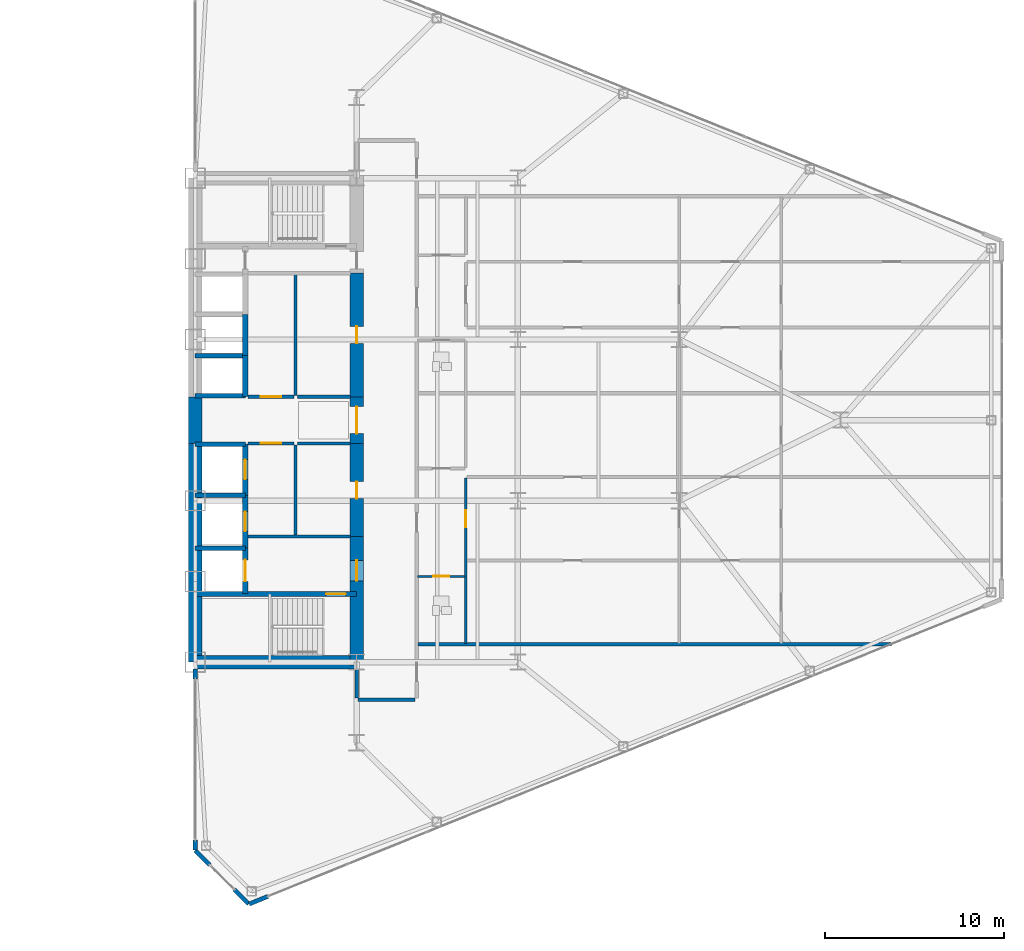
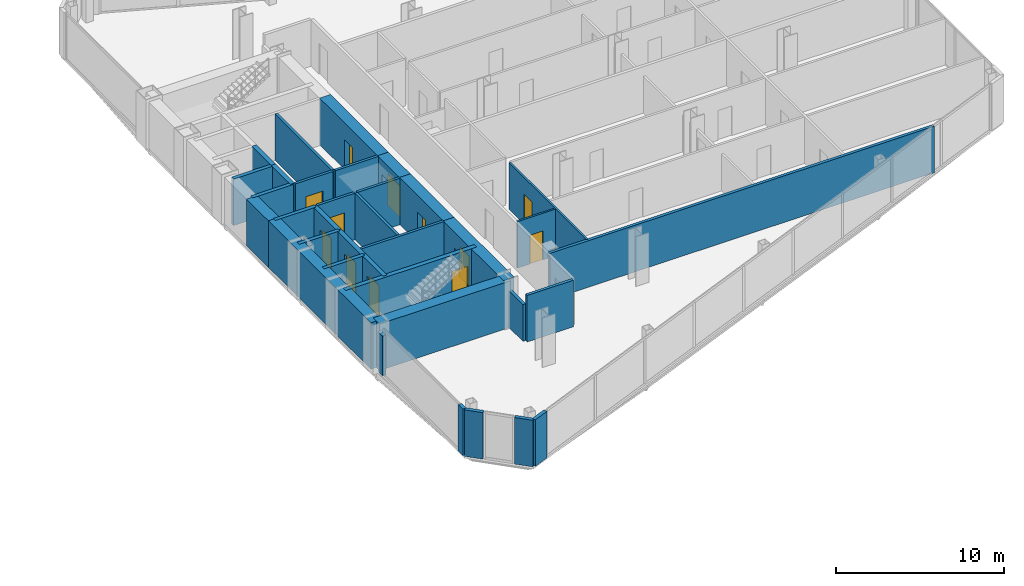
# One storey, part 20 of 25: 35 walls, 12 doors, 12 openings.
"""IFC4 building model written with IfcOpenShell, lengths in metres."""

from ifc_helpers import new_model, si_unit, direction, frame, frame_2d, origin, place, context, subcontext, project, spatial, rectangle, extrude, source, transform, mapped, material, layer, layer_set, type_object, type_shapes, element, fill, save


model = new_model("IFC4")

# Units and contexts
model_context = context("Model", 3, precision=1e-05, world=origin(), true_north=direction((0.0, 1.0)))
body_context = subcontext(model_context, "Body", "Model", "MODEL_VIEW")
ifc_project = project(units=[si_unit("LENGTHUNIT", "METRE"), si_unit("AREAUNIT", "SQUARE_METRE"), si_unit("VOLUMEUNIT", "CUBIC_METRE"), si_unit("PLANEANGLEUNIT", "RADIAN"), si_unit("MASSUNIT", "GRAM", prefix="KILO")], contexts=[model_context])

# Site, building, storey
site_placement = place(None, origin())
site = spatial("IfcSite", under=ifc_project, at=site_placement, CompositionType="ELEMENT")
building_placement = place(site_placement, origin())
building = spatial("IfcBuilding", under=site, at=building_placement, Name="Seokmaru Belvedere", CompositionType="ELEMENT")
storey_placement = place(building_placement, frame((0.0, 0.0, 44.10009765625)))
storey = spatial("IfcBuildingStorey", under=building, at=storey_placement, Name="L11", CompositionType="ELEMENT", Elevation=44.10009765625)

# Walls
ifc_material_1 = material(Name="Fire-Rated Gypsum Shaftwall")
ifc_layer_1 = layer(ifc_material_1, 0.179931640625)
ifc_layer_set_1 = layer_set([ifc_layer_1], Name="Fire-Rated Gypsum Shaftwall")
wall_type_1 = type_object("IfcWallType", Name="Core Service Fire Partition 180", PredefinedType="PARTITIONING", material=ifc_layer_set_1)
wall_1_placement = place(storey_placement, frame((30.449951171875, -6.5, 0.0), z_axis=(0.0, 0.0, 1.0), x_axis=(1.0, 0.0, 0.0)))
element("IfcWall", 1, at=wall_1_placement, inside=storey, type_object=wall_type_1, Name="L11 East Firefighting Lobby Partition", PredefinedType="PARTITIONING", context=body_context, shape_type="SweptSolid", body=[
    extrude(rectangle(XDim=5.699951171875, YDim=0.179931640625, at=frame_2d((2.85009765625, 0.0))), origin(), (0.0, 0.0, 1.0), 3.3798828125),
])
wall_2_placement = place(storey_placement, frame((33.10009765625, -6.419921875, 0.0), z_axis=(0.0, 0.0, 1.0), x_axis=(0.0, 1.0, 0.0)))
element("IfcWall", 2, at=wall_2_placement, inside=storey, type_object=wall_type_1, Name="L11 East South Core Service Back Wall", PredefinedType="PARTITIONING", context=body_context, shape_type="SweptSolid", body=[
    extrude(rectangle(XDim=5.0400390625, YDim=0.179931640625, at=frame_2d((2.52001953125, 0.0))), origin(), (0.0, 0.0, 1.0), 3.3798828125),
])
wall_3_placement = place(storey_placement, frame((33.10009765625, 1.3798828125, 0.0), z_axis=(0.0, 0.0, 1.0), x_axis=(0.0, 1.0, 0.0)))
element("IfcWall", 3, at=wall_3_placement, inside=storey, type_object=wall_type_1, Name="L11 East North Core Service Back Wall", PredefinedType="PARTITIONING", context=body_context, shape_type="SweptSolid", body=[
    extrude(rectangle(XDim=6.740234375, YDim=0.179931640625, at=frame_2d((3.3701171875, 0.0))), origin(), (0.0, 0.0, 1.0), 3.3798828125),
])

# Wall, opening, door
wall_4_placement = place(storey_placement, frame((30.449951171875, -1.300048828125, 0.0), z_axis=(0.0, 0.0, 1.0), x_axis=(1.0, 0.0, 0.0)))
wall_4 = element("IfcWall", 4, at=wall_4_placement, inside=storey, type_object=wall_type_1, Name="L11 East South Lift Lobby Foyer Wall", PredefinedType="PARTITIONING", context=body_context, shape_type="SweptSolid", body=[
    extrude(rectangle(XDim=2.570068359375, YDim=0.179931640625, at=frame_2d((1.28515625, 0.0))), origin(), (0.0, 0.0, 1.0), 3.3798828125),
])
opening_1_placement = place(wall_4_placement, frame((0.7099609375, 0.0, 0.0)))
opening_1 = element("IfcOpeningElement", 5, at=opening_1_placement, cuts=wall_4, Name="Opening D02", PredefinedType="OPENING", context=body_context, shape_type="SweptSolid", body=[
    extrude(rectangle(XDim=1.14990234375, YDim=2.199951171875, at=frame_2d((0.574951171875, 1.10009765625))), frame((0.0, 0.10009765625, 0.0), z_axis=(0.0, -1.0, 0.0), x_axis=(1.0, 0.0, 0.0)), (0.0, 0.0, 1.0), 0.199951171875),
])
ifc_material_2 = material(Name="Fire-Rated Steel Leaf", Category="steel")
door_type_1 = type_object("IfcDoorType", Name="Lobby and Vestibule Fire Door 1150x2200", OperationType="NOTDEFINED", PredefinedType="DOOR", material=ifc_material_2)
shared_shape_1 = source(origin(), body_context, "Body", "SweptSolid", [
    extrude(rectangle(XDim=1.14990234375, YDim=2.199951171875, at=frame_2d((0.574951171875, 1.10009765625))), frame((0.0, 0.02490234375, 0.0), z_axis=(0.0, -1.0, 0.0), x_axis=(1.0, 0.0, 0.0)), (0.0, 0.0, 1.0), 0.050048828125),
])
type_shapes(door_type_1, [shared_shape_1])
door_1_placement = place(opening_1_placement, origin())
door_1 = element("IfcDoor", 6, at=door_1_placement, inside=storey, type_object=door_type_1, Name="L11 East South Core Foyer Door", OperationType="SINGLE_SWING_RIGHT", OverallHeight=2.199951171875, OverallWidth=1.14990234375, PredefinedType="DOOR", context=body_context, shape_type="MappedRepresentation", body=[
    mapped(shared_shape_1, transform((0.0, 0.0, 0.0), scale=1.0)),
])
fill(opening_1, door_1)

wall_5_placement = place(storey_placement, frame((30.449951171875, 1.300048828125, 0.0), z_axis=(0.0, 0.0, 1.0), x_axis=(1.0, 0.0, 0.0)))
wall_5 = element("IfcWall", 7, at=wall_5_placement, inside=storey, type_object=wall_type_1, Name="L11 East North Lift Lobby Foyer Wall", PredefinedType="PARTITIONING", context=body_context, shape_type="SweptSolid", body=[
    extrude(rectangle(XDim=2.570068359375, YDim=0.179931640625, at=frame_2d((1.28515625, 0.0))), origin(), (0.0, 0.0, 1.0), 3.3798828125),
])
opening_2_placement = place(wall_5_placement, frame((0.7099609375, 0.0, 0.0)))
opening_2 = element("IfcOpeningElement", 8, at=opening_2_placement, cuts=wall_5, Name="Opening D02", PredefinedType="OPENING", context=body_context, shape_type="SweptSolid", body=[
    extrude(rectangle(XDim=1.14990234375, YDim=2.199951171875, at=frame_2d((0.574951171875, 1.10009765625))), frame((0.0, 0.10009765625, 0.0), z_axis=(0.0, -1.0, 0.0), x_axis=(1.0, 0.0, 0.0)), (0.0, 0.0, 1.0), 0.199951171875),
])
door_2_placement = place(opening_2_placement, origin())
door_2 = element("IfcDoor", 9, at=door_2_placement, inside=storey, type_object=door_type_1, Name="L11 East North Lift Lobby Door", OperationType="SINGLE_SWING_LEFT", OverallHeight=2.199951171875, OverallWidth=1.14990234375, PredefinedType="DOOR", context=body_context, shape_type="MappedRepresentation", body=[
    mapped(shared_shape_1, transform((0.0, 0.0, 0.0), scale=1.0)),
])
fill(opening_2, door_2)

# Walls
for number, where, z_axis, x_axis, name in (
    (10, (33.199951171875, -1.300048828125, 0.0), (0.0, 0.0, 1.0), (1.0, 0.0, 0.0), "L11 East Foyer Side Wall S"),
    (11, (33.199951171875, 1.300048828125, 0.0), (0.0, 0.0, 1.0), (1.0, 0.0, 0.0), "L11 East Foyer Side Wall N"),
):
    element("IfcWall", number, at=place(storey_placement, frame(where, z_axis=z_axis, x_axis=x_axis)), inside=storey, type_object=wall_type_1, Name=name, PredefinedType="PARTITIONING", context=body_context, shape_type="SweptSolid", body=[
        extrude(rectangle(XDim=2.949951171875, YDim=0.179931640625, at=frame_2d((1.47509765625, 0.0))), origin(), (0.0, 0.0, 1.0), 3.3798828125),
    ])
ifc_material_3 = material(Name="Concrete C50 (50 MPa)", Category="concrete")
ifc_layer_2 = layer(ifc_material_3, 0.25)
ifc_layer_set_2 = layer_set([ifc_layer_2], Name="Concrete C50 (50 MPa)")
wall_type_2 = type_object("IfcWallType", Name="Hoistway Transverse Concrete Divider Wall 250", PredefinedType="SHEAR", material=ifc_layer_set_2)
for number, where, z_axis, x_axis, name in (
    (12, (27.5, -7.14990234375, 0.0), (0.0, 0.0, 1.0), (1.0, 0.0, 0.0), "L11 East Hoistway Divider Core Wall 1"),
    (13, (27.5, -4.199951171875, 0.0), (0.0, 0.0, 1.0), (1.0, 0.0, 0.0), "L11 East Hoistway Divider Core Wall 2"),
    (14, (27.5, -1.35009765625, 0.0), (0.0, 0.0, 1.0), (1.0, 0.0, 0.0), "L11 East Hoistway Divider Core Wall 3"),
    (15, (27.5, 1.35009765625, 0.0), (0.0, 0.0, 1.0), (1.0, 0.0, 0.0), "L11 East Hoistway Divider Core Wall 4"),
    (16, (27.5, 3.60009765625, 0.0), (0.0, 0.0, 1.0), (1.0, 0.0, 0.0), "L11 East Hoistway Divider Core Wall 5"),
):
    element("IfcWall", number, at=place(storey_placement, frame(where, z_axis=z_axis, x_axis=x_axis)), inside=storey, type_object=wall_type_2, Name=name, PredefinedType="SHEAR", context=body_context, shape_type="SweptSolid", body=[
        extrude(rectangle(XDim=2.800048828125, YDim=0.25, at=frame_2d((1.39990234375, 0.0))), origin(), (0.0, 0.0, 1.0), 3.3798828125),
    ])
ifc_layer_3 = layer(ifc_material_1, 0.199951171875)
ifc_layer_set_3 = layer_set([ifc_layer_3], Name="Fire-Rated Gypsum Shaftwall")
wall_type_3 = type_object("IfcWallType", Name="Inter-Tenancy Fire Compartment Partition 200", PredefinedType="PARTITIONING", material=ifc_layer_set_3)
wall_6_placement = place(storey_placement, frame((36.5849609375, -15.60009765625, 0.0), z_axis=(0.0, 0.0, 1.0), x_axis=(1.0, 0.0, 0.0)))
element("IfcWall", 17, at=wall_6_placement, inside=storey, type_object=wall_type_3, Name="L11 Interior Partition 005", PredefinedType="PARTITIONING", context=body_context, shape_type="SweptSolid", body=[
    extrude(rectangle(XDim=3.179931640625, YDim=0.199951171875, at=frame_2d((1.58984375, 0.0))), origin(), (0.0, 0.0, 1.0), 3.3798828125),
])
wall_7_placement = place(storey_placement, frame((39.929931640625, -12.5, 0.0), z_axis=(0.0, 0.0, 1.0), x_axis=(1.0, 0.0, 0.0)))
element("IfcWall", 18, at=wall_7_placement, inside=storey, type_object=wall_type_3, Name="L11 Interior Partition 008", PredefinedType="PARTITIONING", context=body_context, shape_type="SweptSolid", body=[
    extrude(rectangle(XDim=26.406982421875, YDim=0.199951171875, at=frame_2d((13.20361328125, 0.0))), origin(), (0.0, 0.0, 1.0), 3.3798828125),
])
wall_8_placement = place(storey_placement, frame((36.5, -15.514892578125, 0.0), z_axis=(0.0, 0.0, 1.0), x_axis=(0.0, 1.0, 0.0)))
element("IfcWall", 19, at=wall_8_placement, inside=storey, type_object=wall_type_3, Name="L11 Interior Partition 043", PredefinedType="PARTITIONING", context=body_context, shape_type="SweptSolid", body=[
    extrude(rectangle(XDim=1.635009765625, YDim=0.199951171875, at=frame_2d((0.8173828125, 0.0))), origin(), (0.0, 0.0, 1.0), 2.679931640625),
])

# Wall, opening, door
ifc_layer_4 = layer(ifc_material_3, 0.300048828125)
ifc_layer_set_4 = layer_set([ifc_layer_4], Name="Concrete C50 (50 MPa)")
wall_type_4 = type_object("IfcWallType", Name="Internal Core Stair and Hoistway Wall 300", PredefinedType="SHEAR", material=ifc_layer_set_4)
wall_9_placement = place(storey_placement, frame((27.5, -9.699951171875, 0.0), z_axis=(0.0, 0.0, 1.0), x_axis=(1.0, 0.0, 0.0)))
wall_9 = element("IfcWall", 20, at=wall_9_placement, inside=storey, type_object=wall_type_4, Name="L11 East Stair ST-1 Enclosure Wall", PredefinedType="SHEAR", context=body_context, shape_type="SweptSolid", body=[
    extrude(rectangle(XDim=9.0, YDim=0.300048828125, at=frame_2d((4.5, 0.0))), origin(), (0.0, 0.0, 1.0), 3.3798828125),
])
opening_3_placement = place(wall_9_placement, frame((7.300048828125, 0.0, 0.0)))
opening_3 = element("IfcOpeningElement", 21, at=opening_3_placement, cuts=wall_9, Name="Opening D01", PredefinedType="OPENING", context=body_context, shape_type="SweptSolid", body=[
    extrude(rectangle(XDim=1.10009765625, YDim=2.199951171875, at=frame_2d((0.550048828125, 1.10009765625))), frame((0.0, 0.16015625, 0.0), z_axis=(0.0, -1.0, 0.0), x_axis=(1.0, 0.0, 0.0)), (0.0, 0.0, 1.0), 0.320068359375),
])
door_type_2 = type_object("IfcDoorType", Name="Special Escape Stair Smokeproof Fire Door 1100x2200", OperationType="NOTDEFINED", PredefinedType="DOOR", material=ifc_material_2)
shared_shape_2 = source(origin(), body_context, "Body", "SweptSolid", [
    extrude(rectangle(XDim=1.10009765625, YDim=2.199951171875, at=frame_2d((0.550048828125, 1.10009765625))), frame((0.0, 0.02490234375, 0.0), z_axis=(0.0, -1.0, 0.0), x_axis=(1.0, 0.0, 0.0)), (0.0, 0.0, 1.0), 0.050048828125),
])
type_shapes(door_type_2, [shared_shape_2])
door_3_placement = place(opening_3_placement, frame((1.10009765625, 0.0, 0.0), z_axis=(0.0, 0.0, 1.0), x_axis=(-1.0, 0.0, 0.0)))
door_3 = element("IfcDoor", 22, at=door_3_placement, inside=storey, type_object=door_type_2, Name="L11 East Special Escape Stair ST-1 Door", OperationType="SINGLE_SWING_RIGHT", OverallHeight=2.199951171875, OverallWidth=1.10009765625, PredefinedType="DOOR", context=body_context, shape_type="MappedRepresentation", body=[
    mapped(shared_shape_2, transform((0.0, 0.0, 0.0), scale=1.0)),
])
fill(opening_3, door_3)

wall_10_placement = place(storey_placement, frame((30.300048828125, -9.679931640625, 0.0), z_axis=(0.0, 0.0, 1.0), x_axis=(0.0, 1.0, 0.0)))
wall_10 = element("IfcWall", 23, at=wall_10_placement, inside=storey, type_object=wall_type_4, Name="L11 East Firefighting Lift Shaft Front Wall", PredefinedType="SHEAR", context=body_context, shape_type="SweptSolid", body=[
    extrude(rectangle(XDim=2.559814453125, YDim=0.300048828125, at=frame_2d((1.27978515625, 0.0))), origin(), (0.0, 0.0, 1.0), 3.3798828125),
])
opening_4_placement = place(wall_10_placement, frame((0.679931640625, 0.0, 0.0)))
opening_4 = element("IfcOpeningElement", 24, at=opening_4_placement, cuts=wall_10, Name="Opening LD2", PredefinedType="OPENING", context=body_context, shape_type="SweptSolid", body=[
    extrude(rectangle(XDim=1.199951171875, YDim=2.25, at=frame_2d((0.60009765625, 1.125))), frame((0.0, 0.16015625, 0.0), z_axis=(0.0, -1.0, 0.0), x_axis=(1.0, 0.0, 0.0)), (0.0, 0.0, 1.0), 0.320068359375),
])
ifc_material_4 = material(Name="Stainless Steel 316", Category="steel")
door_type_3 = type_object("IfcDoorType", Name="Firefighting Lift Sliding Landing Door 1200x2250", OperationType="DOUBLE_DOOR_SLIDING", PredefinedType="DOOR", material=ifc_material_4)
shared_shape_3 = source(origin(), body_context, "Body", "SweptSolid", [
    extrude(rectangle(XDim=1.199951171875, YDim=2.25, at=frame_2d((0.60009765625, 1.125))), frame((0.0, 0.02490234375, 0.0), z_axis=(0.0, -1.0, 0.0), x_axis=(1.0, 0.0, 0.0)), (0.0, 0.0, 1.0), 0.050048828125),
])
type_shapes(door_type_3, [shared_shape_3])
door_4_placement = place(opening_4_placement, origin())
door_4 = element("IfcDoor", 25, at=door_4_placement, inside=storey, type_object=door_type_3, Name="L11 East Firefighting Lift Landing Door", OperationType="DOUBLE_DOOR_SLIDING", OverallHeight=2.25, OverallWidth=1.199951171875, PredefinedType="DOOR", context=body_context, shape_type="MappedRepresentation", body=[
    mapped(shared_shape_3, transform((0.0, 0.0, 0.0), scale=1.0)),
])
fill(opening_4, door_4)

wall_11_placement = place(storey_placement, frame((30.300048828125, -7.1201171875, 0.0), z_axis=(0.0, 0.0, 1.0), x_axis=(0.0, 1.0, 0.0)))
wall_11 = element("IfcWall", 26, at=wall_11_placement, inside=storey, type_object=wall_type_4, Name="L11 East Low-Rise Lift PL-1 Front Wall", PredefinedType="SHEAR", context=body_context, shape_type="SweptSolid", body=[
    extrude(rectangle(XDim=2.920166015625, YDim=0.300048828125, at=frame_2d((1.4599609375, 0.0))), origin(), (0.0, 0.0, 1.0), 3.3798828125),
])
opening_5_placement = place(wall_11_placement, frame((0.909912109375, 0.0, 0.0)))
opening_5 = element("IfcOpeningElement", 27, at=opening_5_placement, cuts=wall_11, Name="Opening LD1", PredefinedType="OPENING", context=body_context, shape_type="SweptSolid", body=[
    extrude(rectangle(XDim=1.10009765625, YDim=2.199951171875, at=frame_2d((0.550048828125, 1.10009765625))), frame((0.0, 0.16015625, 0.0), z_axis=(0.0, -1.0, 0.0), x_axis=(1.0, 0.0, 0.0)), (0.0, 0.0, 1.0), 0.320068359375),
])
door_type_4 = type_object("IfcDoorType", Name="Passenger Lift Sliding Landing Door 1100x2200", OperationType="DOUBLE_DOOR_SLIDING", PredefinedType="DOOR", material=ifc_material_4)
shared_shape_4 = source(origin(), body_context, "Body", "SweptSolid", [
    extrude(rectangle(XDim=1.10009765625, YDim=2.199951171875, at=frame_2d((0.550048828125, 1.10009765625))), frame((0.0, 0.02490234375, 0.0), z_axis=(0.0, -1.0, 0.0), x_axis=(1.0, 0.0, 0.0)), (0.0, 0.0, 1.0), 0.050048828125),
])
type_shapes(door_type_4, [shared_shape_4])
door_5_placement = place(opening_5_placement, origin())
door_5 = element("IfcDoor", 28, at=door_5_placement, inside=storey, type_object=door_type_4, Name="L11 East Low-Rise Lift PL-1 Landing Door", OperationType="DOUBLE_DOOR_SLIDING", OverallHeight=2.199951171875, OverallWidth=1.10009765625, PredefinedType="DOOR", context=body_context, shape_type="MappedRepresentation", body=[
    mapped(shared_shape_4, transform((0.0, 0.0, 0.0), scale=1.0)),
])
fill(opening_5, door_5)

wall_12_placement = place(storey_placement, frame((30.300048828125, -4.199951171875, 0.0), z_axis=(0.0, 0.0, 1.0), x_axis=(0.0, 1.0, 0.0)))
wall_12 = element("IfcWall", 29, at=wall_12_placement, inside=storey, type_object=wall_type_4, Name="L11 East Low-Rise Lift PL-2 Front Wall", PredefinedType="SHEAR", context=body_context, shape_type="SweptSolid", body=[
    extrude(rectangle(XDim=2.8798828125, YDim=0.300048828125, at=frame_2d((1.43994140625, 0.0))), origin(), (0.0, 0.0, 1.0), 3.3798828125),
])
opening_6_placement = place(wall_12_placement, frame((0.889892578125, 0.0, 0.0)))
opening_6 = element("IfcOpeningElement", 30, at=opening_6_placement, cuts=wall_12, Name="Opening LD1", PredefinedType="OPENING", context=body_context, shape_type="SweptSolid", body=[
    extrude(rectangle(XDim=1.10009765625, YDim=2.199951171875, at=frame_2d((0.550048828125, 1.10009765625))), frame((0.0, 0.16015625, 0.0), z_axis=(0.0, -1.0, 0.0), x_axis=(1.0, 0.0, 0.0)), (0.0, 0.0, 1.0), 0.320068359375),
])
door_6_placement = place(opening_6_placement, origin())
door_6 = element("IfcDoor", 31, at=door_6_placement, inside=storey, type_object=door_type_4, Name="L11 East Low-Rise Lift PL-2 Landing Door", OperationType="DOUBLE_DOOR_SLIDING", OverallHeight=2.199951171875, OverallWidth=1.10009765625, PredefinedType="DOOR", context=body_context, shape_type="MappedRepresentation", body=[
    mapped(shared_shape_4, transform((0.0, 0.0, 0.0), scale=1.0)),
])
fill(opening_6, door_6)

# Walls
wall_13_placement = place(storey_placement, frame((30.300048828125, 1.320068359375, 0.0), z_axis=(0.0, 0.0, 1.0), x_axis=(0.0, 1.0, 0.0)))
element("IfcWall", 32, at=wall_13_placement, inside=storey, type_object=wall_type_4, Name="L11 East North Hoistway Wall PH1", PredefinedType="SHEAR", context=body_context, shape_type="SweptSolid", body=[
    extrude(rectangle(XDim=2.280029296875, YDim=0.300048828125, at=frame_2d((1.14013671875, 0.0))), origin(), (0.0, 0.0, 1.0), 3.3798828125),
])
wall_14_placement = place(storey_placement, frame((30.300048828125, 3.60009765625, 0.0), z_axis=(0.0, 0.0, 1.0), x_axis=(0.0, 1.0, 0.0)))
element("IfcWall", 33, at=wall_14_placement, inside=storey, type_object=wall_type_4, Name="L11 East North Hoistway Wall PH2", PredefinedType="SHEAR", context=body_context, shape_type="SweptSolid", body=[
    extrude(rectangle(XDim=2.2998046875, YDim=0.300048828125, at=frame_2d((1.14990234375, 0.0))), origin(), (0.0, 0.0, 1.0), 3.3798828125),
])
ifc_material_5 = material(Name="Concrete C60 (60 MPa)", Category="concrete")
ifc_layer_5 = layer(ifc_material_5, 0.75)
ifc_layer_set_5 = layer_set([ifc_layer_5], Name="Concrete C60 (60 MPa)")
wall_type_5 = type_object("IfcWallType", Name="Lower Tower Reinforced Concrete Core Wall 750", PredefinedType="SHEAR", material=ifc_layer_set_5)
wall_15_placement = place(storey_placement, frame((27.5, -13.5, 0.0), z_axis=(0.0, 0.0, 1.0), x_axis=(0.0, 1.0, 0.0)))
element("IfcWall", 34, at=wall_15_placement, inside=storey, type_object=wall_type_5, Name="L11 East Portal Spine Core Wall South", PredefinedType="SHEAR", context=body_context, shape_type="SweptSolid", body=[
    extrude(rectangle(XDim=12.199951171875, YDim=0.75, at=frame_2d((6.10009765625, 0.0))), origin(), (0.0, 0.0, 1.0), 3.3798828125),
])
wall_16_placement = place(storey_placement, frame((27.5, -1.300048828125, 0.0), z_axis=(0.0, 0.0, 1.0), x_axis=(0.0, 1.0, 0.0)))
element("IfcWall", 35, at=wall_16_placement, inside=storey, type_object=wall_type_5, Name="L11 East Portal Spine Core Wall Center", PredefinedType="SHEAR", context=body_context, shape_type="SweptSolid", body=[
    extrude(rectangle(XDim=2.60009765625, YDim=0.75, at=frame_2d((1.300048828125, 0.0))), origin(), (0.0, 0.0, 1.0), 3.3798828125),
])
wall_17_placement = place(storey_placement, frame((27.5, -13.5, 0.0), z_axis=(0.0, 0.0, 1.0), x_axis=(1.0, 0.0, 0.0)))
element("IfcWall", 36, at=wall_17_placement, inside=storey, type_object=wall_type_5, Name="L11 East South Core Wall", PredefinedType="SHEAR", context=body_context, shape_type="SweptSolid", body=[
    extrude(rectangle(XDim=9.0, YDim=0.75, at=frame_2d((4.5, 0.0))), origin(), (0.0, 0.0, 1.0), 3.3798828125),
])

# Wall, opening, door
wall_18_placement = place(storey_placement, frame((36.5, -13.64990234375, 0.0), z_axis=(0.0, 0.0, 1.0), x_axis=(0.0, 1.0, 0.0)))
wall_18 = element("IfcWall", 37, at=wall_18_placement, inside=storey, type_object=wall_type_5, Name="L11 East West Core Wall FF", PredefinedType="SHEAR", context=body_context, shape_type="SweptSolid", body=[
    extrude(rectangle(XDim=7.14990234375, YDim=0.75, at=frame_2d((3.574951171875, 0.0))), origin(), (0.0, 0.0, 1.0), 3.3798828125),
])
opening_7_placement = place(wall_18_placement, frame((4.675048828125, 0.0, 0.0)))
opening_7 = element("IfcOpeningElement", 38, at=opening_7_placement, cuts=wall_18, Name="Opening D02", PredefinedType="OPENING", context=body_context, shape_type="SweptSolid", body=[
    extrude(rectangle(XDim=1.14990234375, YDim=2.199951171875, at=frame_2d((0.574951171875, 1.10009765625))), frame((0.0, 0.385009765625, 0.0), z_axis=(0.0, -1.0, 0.0), x_axis=(1.0, 0.0, 0.0)), (0.0, 0.0, 1.0), 0.77001953125),
])
door_7_placement = place(opening_7_placement, origin())
door_7 = element("IfcDoor", 39, at=door_7_placement, inside=storey, type_object=door_type_1, Name="L11 East Firefighting Lobby Door", OperationType="SINGLE_SWING_RIGHT", OverallHeight=2.199951171875, OverallWidth=1.14990234375, PredefinedType="DOOR", context=body_context, shape_type="MappedRepresentation", body=[
    mapped(shared_shape_1, transform((0.0, 0.0, 0.0), scale=1.0)),
])
fill(opening_7, door_7)

wall_19_placement = place(storey_placement, frame((36.5, -1.300048828125, 0.0), z_axis=(0.0, 0.0, 1.0), x_axis=(0.0, 1.0, 0.0)))
wall_19 = element("IfcWall", 40, at=wall_19_placement, inside=storey, type_object=wall_type_5, Name="L11 East West Core Wall FOY", PredefinedType="SHEAR", context=body_context, shape_type="SweptSolid", body=[
    extrude(rectangle(XDim=2.60009765625, YDim=0.75, at=frame_2d((1.300048828125, 0.0))), origin(), (0.0, 0.0, 1.0), 3.3798828125),
])
opening_8_placement = place(wall_19_placement, frame((0.550048828125, 0.0, 0.0)))
opening_8 = element("IfcOpeningElement", 41, at=opening_8_placement, cuts=wall_19, Name="Opening D08", PredefinedType="OPENING", context=body_context, shape_type="SweptSolid", body=[
    extrude(rectangle(XDim=1.5, YDim=2.300048828125, at=frame_2d((0.75, 1.14990234375))), frame((0.0, 0.385009765625, 0.0), z_axis=(0.0, -1.0, 0.0), x_axis=(1.0, 0.0, 0.0)), (0.0, 0.0, 1.0), 0.77001953125),
])
door_type_5 = type_object("IfcDoorType", Name="Cross-Corridor Compartment Double Fire Door 1500x2300", OperationType="DOUBLE_SWING_LEFT", PredefinedType="DOOR", material=ifc_material_2)
shared_shape_5 = source(origin(), body_context, "Body", "SweptSolid", [
    extrude(rectangle(XDim=1.5, YDim=2.300048828125, at=frame_2d((0.75, 1.14990234375))), frame((0.0, 0.02490234375, 0.0), z_axis=(0.0, -1.0, 0.0), x_axis=(1.0, 0.0, 0.0)), (0.0, 0.0, 1.0), 0.050048828125),
])
type_shapes(door_type_5, [shared_shape_5])
door_8_placement = place(opening_8_placement, origin())
door_8 = element("IfcDoor", 42, at=door_8_placement, inside=storey, type_object=door_type_5, Name="L11 East Core Foyer Compartment Door", OperationType="DOUBLE_SWING_LEFT", OverallHeight=2.300048828125, OverallWidth=1.5, PredefinedType="DOOR", context=body_context, shape_type="MappedRepresentation", body=[
    mapped(shared_shape_5, transform((0.0, 0.0, 0.0), scale=1.0)),
])
fill(opening_8, door_8)

wall_20_placement = place(storey_placement, frame((36.5, -6.5, 0.0), z_axis=(0.0, 0.0, 1.0), x_axis=(0.0, 1.0, 0.0)))
wall_20 = element("IfcWall", 43, at=wall_20_placement, inside=storey, type_object=wall_type_5, Name="L11 East West Core Wall CS1", PredefinedType="SHEAR", context=body_context, shape_type="SweptSolid", body=[
    extrude(rectangle(XDim=5.199951171875, YDim=0.75, at=frame_2d((2.60009765625, 0.0))), origin(), (0.0, 0.0, 1.0), 3.3798828125),
])
opening_9_placement = place(wall_20_placement, frame((2.125, 0.0, 0.0)))
opening_9 = element("IfcOpeningElement", 44, at=opening_9_placement, cuts=wall_20, Name="Opening D04", PredefinedType="OPENING", context=body_context, shape_type="SweptSolid", body=[
    extrude(rectangle(XDim=0.949951171875, YDim=2.14990234375, at=frame_2d((0.47509765625, 1.074951171875))), frame((0.0, 0.385009765625, 0.0), z_axis=(0.0, -1.0, 0.0), x_axis=(1.0, 0.0, 0.0)), (0.0, 0.0, 1.0), 0.77001953125),
])
door_type_6 = type_object("IfcDoorType", Name="Core Service Room Fire Door 950x2150", OperationType="NOTDEFINED", PredefinedType="DOOR", material=ifc_material_2)
shared_shape_6 = source(origin(), body_context, "Body", "SweptSolid", [
    extrude(rectangle(XDim=0.949951171875, YDim=2.14990234375, at=frame_2d((0.47509765625, 1.074951171875))), frame((0.0, 0.02490234375, 0.0), z_axis=(0.0, -1.0, 0.0), x_axis=(1.0, 0.0, 0.0)), (0.0, 0.0, 1.0), 0.050048828125),
])
type_shapes(door_type_6, [shared_shape_6])
door_9_placement = place(opening_9_placement, origin())
door_9 = element("IfcDoor", 45, at=door_9_placement, inside=storey, type_object=door_type_6, Name="L11 East Core Service Room Door 1", OperationType="SINGLE_SWING_RIGHT", OverallHeight=2.14990234375, OverallWidth=0.949951171875, PredefinedType="DOOR", context=body_context, shape_type="MappedRepresentation", body=[
    mapped(shared_shape_6, transform((0.0, 0.0, 0.0), scale=1.0)),
])
fill(opening_9, door_9)

wall_21_placement = place(storey_placement, frame((36.5, 1.300048828125, 0.0), z_axis=(0.0, 0.0, 1.0), x_axis=(0.0, 1.0, 0.0)))
wall_21 = element("IfcWall", 46, at=wall_21_placement, inside=storey, type_object=wall_type_5, Name="L11 East West Core Wall CS2", PredefinedType="SHEAR", context=body_context, shape_type="SweptSolid", body=[
    extrude(rectangle(XDim=6.89990234375, YDim=0.75, at=frame_2d((3.449951171875, 0.0))), origin(), (0.0, 0.0, 1.0), 3.3798828125),
])
opening_10_placement = place(wall_21_placement, frame((2.97509765625, 0.0, 0.0)))
opening_10 = element("IfcOpeningElement", 47, at=opening_10_placement, cuts=wall_21, Name="Opening D04", PredefinedType="OPENING", context=body_context, shape_type="SweptSolid", body=[
    extrude(rectangle(XDim=0.949951171875, YDim=2.14990234375, at=frame_2d((0.47509765625, 1.074951171875))), frame((0.0, 0.385009765625, 0.0), z_axis=(0.0, -1.0, 0.0), x_axis=(1.0, 0.0, 0.0)), (0.0, 0.0, 1.0), 0.77001953125),
])
door_10_placement = place(opening_10_placement, origin())
door_10 = element("IfcDoor", 48, at=door_10_placement, inside=storey, type_object=door_type_6, Name="L11 East Core Service Room Door 2", OperationType="SINGLE_SWING_LEFT", OverallHeight=2.14990234375, OverallWidth=0.949951171875, PredefinedType="DOOR", context=body_context, shape_type="MappedRepresentation", body=[
    mapped(shared_shape_6, transform((0.0, 0.0, 0.0), scale=1.0)),
])
fill(opening_10, door_10)

ifc_layer_6 = layer(ifc_material_1, 0.1298828125)
ifc_layer_set_6 = layer_set([ifc_layer_6], Name="Fire-Rated Gypsum Shaftwall")
wall_type_6 = type_object("IfcWallType", Name="Moisture-Resistant Fire-Rated Bathroom Partition 130", PredefinedType="PARTITIONING", material=ifc_layer_set_6)
wall_22_placement = place(storey_placement, frame((39.89990234375, -8.719970703125, 0.0), z_axis=(0.0, 0.0, 1.0), x_axis=(1.0, 0.0, 0.0)))
wall_22 = element("IfcWall", 49, at=wall_22_placement, inside=storey, type_object=wall_type_6, Name="L11 Interior Partition 010", PredefinedType="PARTITIONING", context=body_context, shape_type="SweptSolid", body=[
    extrude(rectangle(XDim=2.650146484375, YDim=0.1298828125, at=frame_2d((1.3251953125, 0.0))), origin(), (0.0, 0.0, 1.0), 3.3798828125),
])
opening_11_placement = place(wall_22_placement, frame((0.885009765625, 0.0, 0.0)))
opening_11 = element("IfcOpeningElement", 50, at=opening_11_placement, cuts=wall_22, Name="Opening D06", PredefinedType="OPENING", context=body_context, shape_type="SweptSolid", body=[
    extrude(rectangle(XDim=0.8798828125, YDim=2.10009765625, at=frame_2d((0.43994140625, 1.050048828125))), frame((0.0, 0.074951171875, 0.0), z_axis=(0.0, -1.0, 0.0), x_axis=(1.0, 0.0, 0.0)), (0.0, 0.0, 1.0), 0.14990234375),
])
ifc_material_6 = material(Name="Engineered White Oak Timber", Category="wood")
door_type_7 = type_object("IfcDoorType", Name="Bathroom and Restroom Fire-Rated Door 880x2100", OperationType="NOTDEFINED", PredefinedType="DOOR", material=ifc_material_6)
shared_shape_7 = source(origin(), body_context, "Body", "SweptSolid", [
    extrude(rectangle(XDim=0.8798828125, YDim=2.10009765625, at=frame_2d((0.43994140625, 1.050048828125))), frame((0.0, 0.02490234375, 0.0), z_axis=(0.0, -1.0, 0.0), x_axis=(1.0, 0.0, 0.0)), (0.0, 0.0, 1.0), 0.050048828125),
])
type_shapes(door_type_7, [shared_shape_7])
door_11_placement = place(opening_11_placement, origin())
door_11 = element("IfcDoor", 51, at=door_11_placement, inside=storey, type_object=door_type_7, Name="L11 Interior Door 039", OperationType="SINGLE_SWING_RIGHT", OverallHeight=2.10009765625, OverallWidth=0.8798828125, PredefinedType="DOOR", context=body_context, shape_type="MappedRepresentation", body=[
    mapped(shared_shape_7, transform((0.0, 0.0, 0.0), scale=1.0)),
])
fill(opening_11, door_11)

wall_23_placement = place(storey_placement, frame((42.60009765625, -12.449951171875, 0.0), z_axis=(0.0, 0.0, 1.0), x_axis=(0.0, 1.0, 0.0)))
wall_23 = element("IfcWall", 52, at=wall_23_placement, inside=storey, type_object=wall_type_6, Name="L11 Interior Partition 046", PredefinedType="PARTITIONING", context=body_context, shape_type="SweptSolid", body=[
    extrude(rectangle(XDim=9.23291015625, YDim=0.1298828125, at=frame_2d((4.616455078125, 0.0))), origin(), (0.0, 0.0, 1.0), 3.3798828125),
])
opening_12_placement = place(wall_23_placement, frame((6.47509765625, 0.0, 0.0)))
opening_12 = element("IfcOpeningElement", 53, at=opening_12_placement, cuts=wall_23, Name="Opening D05", PredefinedType="OPENING", context=body_context, shape_type="SweptSolid", body=[
    extrude(rectangle(XDim=0.949951171875, YDim=2.14990234375, at=frame_2d((0.47509765625, 1.074951171875))), frame((0.0, 0.074951171875, 0.0), z_axis=(0.0, -1.0, 0.0), x_axis=(1.0, 0.0, 0.0)), (0.0, 0.0, 1.0), 0.14990234375),
])
door_type_8 = type_object("IfcDoorType", Name="Apartment Interior Fire-Rated Oak Door 950x2150", OperationType="NOTDEFINED", PredefinedType="DOOR", material=ifc_material_6)
shared_shape_8 = source(origin(), body_context, "Body", "SweptSolid", [
    extrude(rectangle(XDim=0.949951171875, YDim=2.14990234375, at=frame_2d((0.47509765625, 1.074951171875))), frame((0.0, 0.02490234375, 0.0), z_axis=(0.0, -1.0, 0.0), x_axis=(1.0, 0.0, 0.0)), (0.0, 0.0, 1.0), 0.050048828125),
])
type_shapes(door_type_8, [shared_shape_8])
door_12_placement = place(opening_12_placement, origin())
door_12 = element("IfcDoor", 54, at=door_12_placement, inside=storey, type_object=door_type_8, Name="L11 Interior Door 041", OperationType="SINGLE_SWING_LEFT", OverallHeight=2.14990234375, OverallWidth=0.949951171875, PredefinedType="DOOR", context=body_context, shape_type="MappedRepresentation", body=[
    mapped(shared_shape_8, transform((0.0, 0.0, 0.0), scale=1.0)),
])
fill(opening_12, door_12)

# Walls
ifc_material_7 = material(Name="Anodised Bronze Aluminium", Category="aluminium")
ifc_layer_7 = layer(ifc_material_7, 0.239990234375)
ifc_layer_set_7 = layer_set([ifc_layer_7], Name="Anodised Bronze Aluminium")
wall_type_7 = type_object("IfcWallType", Name="Tower Corner Spandrel Closure Wall 240", PredefinedType="SOLIDWALL", material=ifc_layer_set_7)
wall_24_placement = place(storey_placement, frame((30.50927734375, -26.99609375, 0.0), z_axis=(0.0, 0.0, 1.0), x_axis=(0.927007103665, 0.375043770452, 0.0)))
element("IfcWall", 55, at=wall_24_placement, inside=storey, type_object=wall_type_7, Name="L11 E Corner Closure Pier 1A", PredefinedType="SOLIDWALL", context=body_context, shape_type="SweptSolid", body=[
    extrude(rectangle(XDim=1.139892578125, YDim=0.239990234375, at=frame_2d((0.56982421875, 0.0))), origin(), (0.0, 0.0, 1.0), 3.3798828125),
])
wall_25_placement = place(storey_placement, frame((27.5, -23.97998046875, 0.0), z_axis=(0.0, 0.0, 1.0), x_axis=(0.0, 1.0, 0.0)))
element("IfcWall", 56, at=wall_25_placement, inside=storey, type_object=wall_type_7, Name="L11 E Spine Closure Pier 1A", PredefinedType="SOLIDWALL", context=body_context, shape_type="SweptSolid", body=[
    extrude(rectangle(XDim=0.550048828125, YDim=0.239990234375, at=frame_2d((0.27490234375, 0.0))), origin(), (0.0, 0.0, 1.0), 3.3798828125),
])
wall_26_placement = place(storey_placement, frame((27.5, -14.429931640625, 0.0), z_axis=(0.0, 0.0, 1.0), x_axis=(0.0, 1.0, 0.0)))
element("IfcWall", 57, at=wall_26_placement, inside=storey, type_object=wall_type_7, Name="L11 E Spine Closure Pier 1B", PredefinedType="SOLIDWALL", context=body_context, shape_type="SweptSolid", body=[
    extrude(rectangle(XDim=0.550048828125, YDim=0.239990234375, at=frame_2d((0.27490234375, 0.0))), origin(), (0.0, 0.0, 1.0), 2.8798828125),
])
for number, where, z_axis, x_axis, name in (
    (58, (27.507080078125, -24.007080078125, 0.0), (0.0, 0.0, 1.0), (0.707106781187, -0.707106781187, 0.0), "L11 E Corner Closure Pier 6A"),
    (59, (29.686767578125, -26.186767578125, 0.0), (0.0, 0.0, 1.0), (0.707106781187, -0.707106781187, 0.0), "L11 E Corner Closure Pier 6B"),
):
    element("IfcWall", number, at=place(storey_placement, frame(where, z_axis=z_axis, x_axis=x_axis)), inside=storey, type_object=wall_type_7, Name=name, PredefinedType="SOLIDWALL", context=body_context, shape_type="SweptSolid", body=[
        extrude(rectangle(XDim=1.14013671875, YDim=0.239990234375, at=frame_2d((0.570068359375, 0.0))), origin(), (0.0, 0.0, 1.0), 3.3798828125),
    ])

save(model, "model.ifc")
